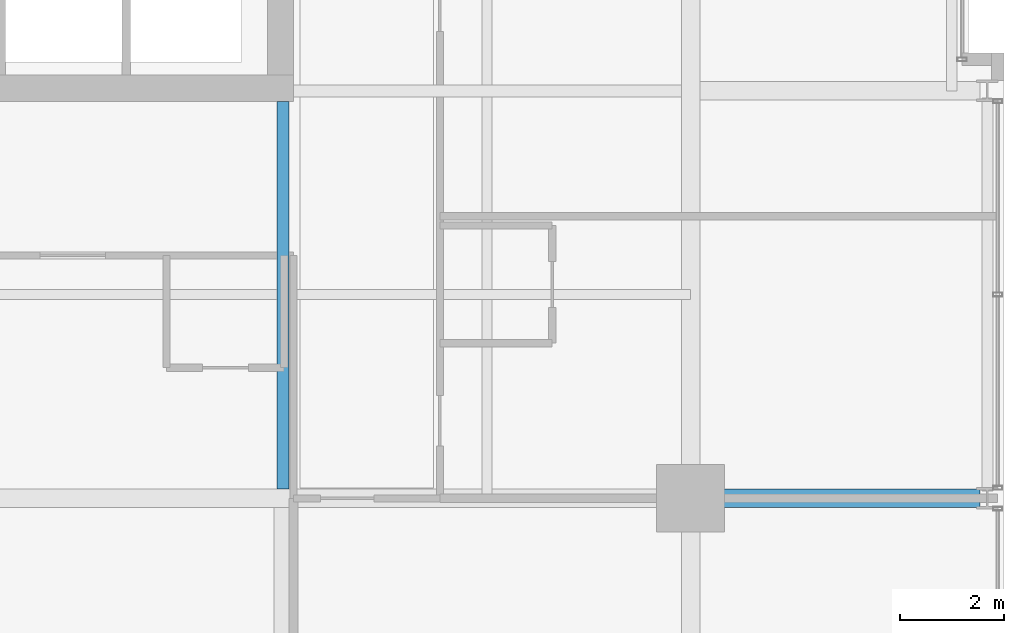
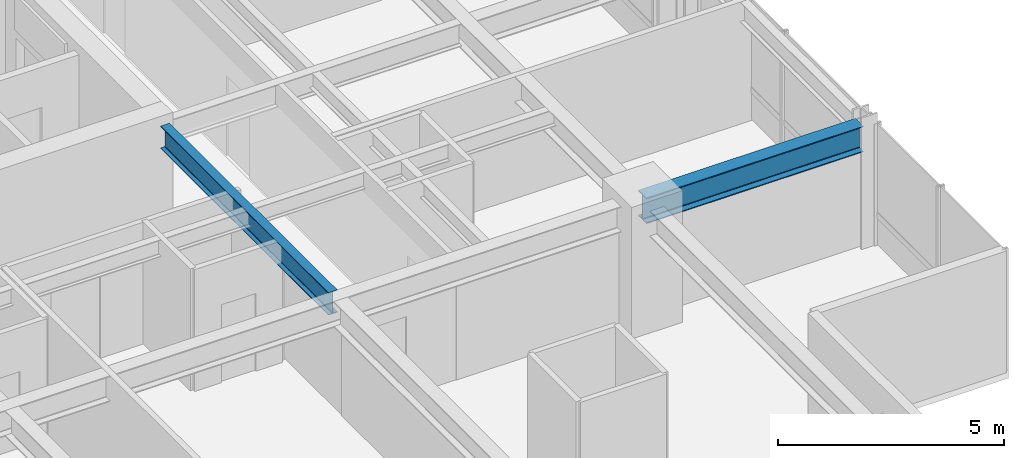
# One storey, part 12 of 33: 2 beams.
"""IFC4 building model written with IfcOpenShell, lengths in metres."""

from ifc_helpers import new_model, si_unit, direction, frame, origin, origin_2d, place, context, subcontext, project, spatial, i_section, extrude, material, material_profile, profile_set, type_object, element, save


model = new_model("IFC4")

# Units and contexts
model_context = context("Model", 3, precision=1e-05, world=origin(), true_north=direction((0.0, 1.0)))
body_context = subcontext(model_context, "Body", "Model", "MODEL_VIEW")
ifc_project = project(units=[si_unit("LENGTHUNIT", "METRE"), si_unit("AREAUNIT", "SQUARE_METRE"), si_unit("VOLUMEUNIT", "CUBIC_METRE"), si_unit("PLANEANGLEUNIT", "RADIAN"), si_unit("MASSUNIT", "GRAM", prefix="KILO")], contexts=[model_context])

# Site, building, storey
site_placement = place(None, origin())
site = spatial("IfcSite", under=ifc_project, at=site_placement, CompositionType="ELEMENT")
building_placement = place(site_placement, origin())
building = spatial("IfcBuilding", under=site, at=building_placement, Name="Drelvath Grand Hotel", CompositionType="ELEMENT")
storey_placement = place(building_placement, frame((0.0, 0.0, 171.699951171875)))
storey = spatial("IfcBuildingStorey", under=building, at=storey_placement, Name="L44", CompositionType="ELEMENT", Elevation=171.699951171875)

# Beams
ifc_material = material(Name="Steel ASTM A992 Gr 50", Category="steel")
ifc_material_profile_1 = material_profile(ifc_material, i_section(OverallWidth=0.228271484375, OverallDepth=0.607666015625, WebThickness=0.01123046875, FlangeThickness=0.017333984375, FilletRadius=0.02001953125, at=origin_2d()), Name="W24X76")
ifc_profile_set_1 = profile_set([ifc_material_profile_1], Name="Steel ASTM A992 Gr 50")
beam_type_1 = type_object("IfcBeamType", Name="Primary Floor Girder W24X76", PredefinedType="BEAM", material=ifc_profile_set_1)
beam_1_placement = place(storey_placement, frame((8.39990234375, 10.977294921875, 2.986328125), z_axis=(0.0, 1.0, 0.0), x_axis=(-1.0, 0.0, 0.0)))
element("IfcBeam", 1, at=beam_1_placement, inside=storey, type_object=beam_type_1, Name="L44 South Core Tie 6", PredefinedType="BEAM", context=body_context, shape_type="SweptSolid", body=[
    extrude(i_section(OverallWidth=0.228271484375, OverallDepth=0.607666015625, WebThickness=0.01123046875, FlangeThickness=0.017333984375, FilletRadius=0.02001953125, at=origin_2d()), origin(), (0.0, 0.0, 1.0), 7.422607421875),
])
ifc_material_profile_2 = material_profile(ifc_material, i_section(OverallWidth=0.354736328125, OverallDepth=0.695556640625, WebThickness=0.015380859375, FlangeThickness=0.025146484375, FilletRadius=0.02392578125, at=origin_2d()), Name="W27X146")
ifc_profile_set_2 = profile_set([ifc_material_profile_2], Name="Steel ASTM A992 Gr 50")
beam_type_2 = type_object("IfcBeamType", Name="Primary Floor Girder W27X146", PredefinedType="BEAM", material=ifc_profile_set_2)
beam_2_placement = place(storey_placement, frame((16.199951171875, 10.800048828125, 2.9423828125), z_axis=(1.0, 0.0, 0.0), x_axis=(0.0, 1.0, 0.0)))
element("IfcBeam", 2, at=beam_2_placement, inside=storey, type_object=beam_type_2, Name="L44 East Grid Girder C", PredefinedType="BEAM", context=body_context, shape_type="SweptSolid", body=[
    extrude(i_section(OverallWidth=0.354736328125, OverallDepth=0.695556640625, WebThickness=0.015380859375, FlangeThickness=0.025146484375, FilletRadius=0.02392578125, at=origin_2d()), origin(), (0.0, 0.0, 1.0), 5.5400390625),
])

save(model, "model.ifc")
